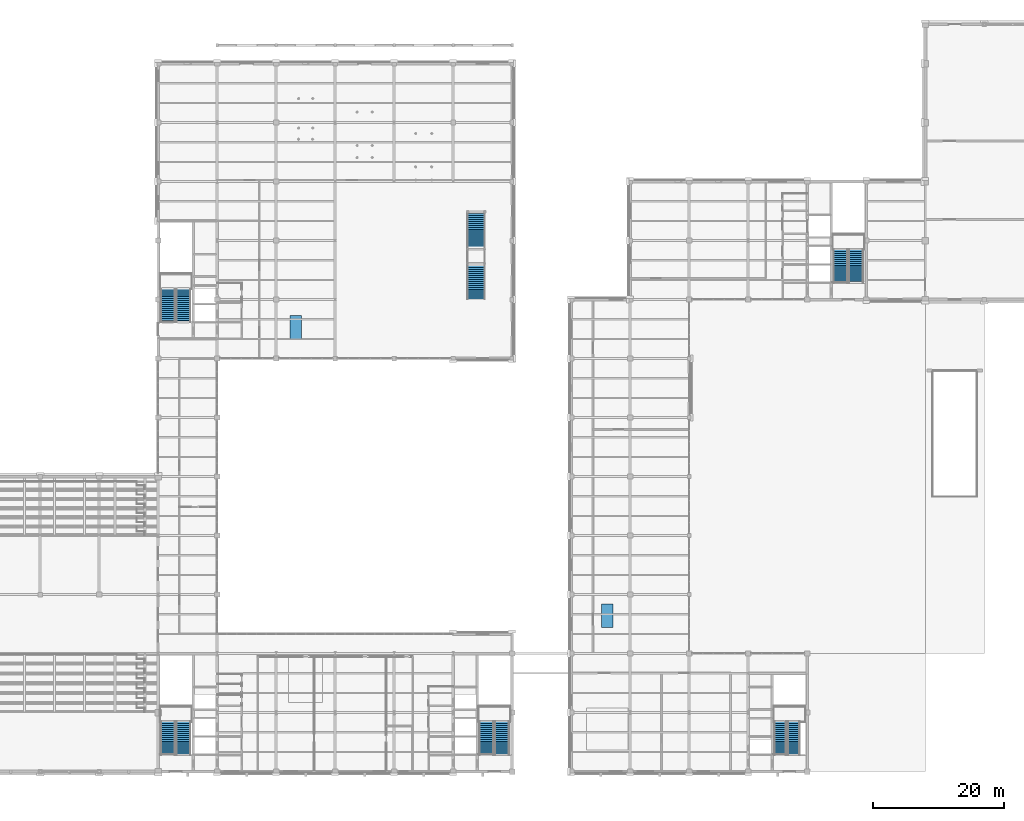
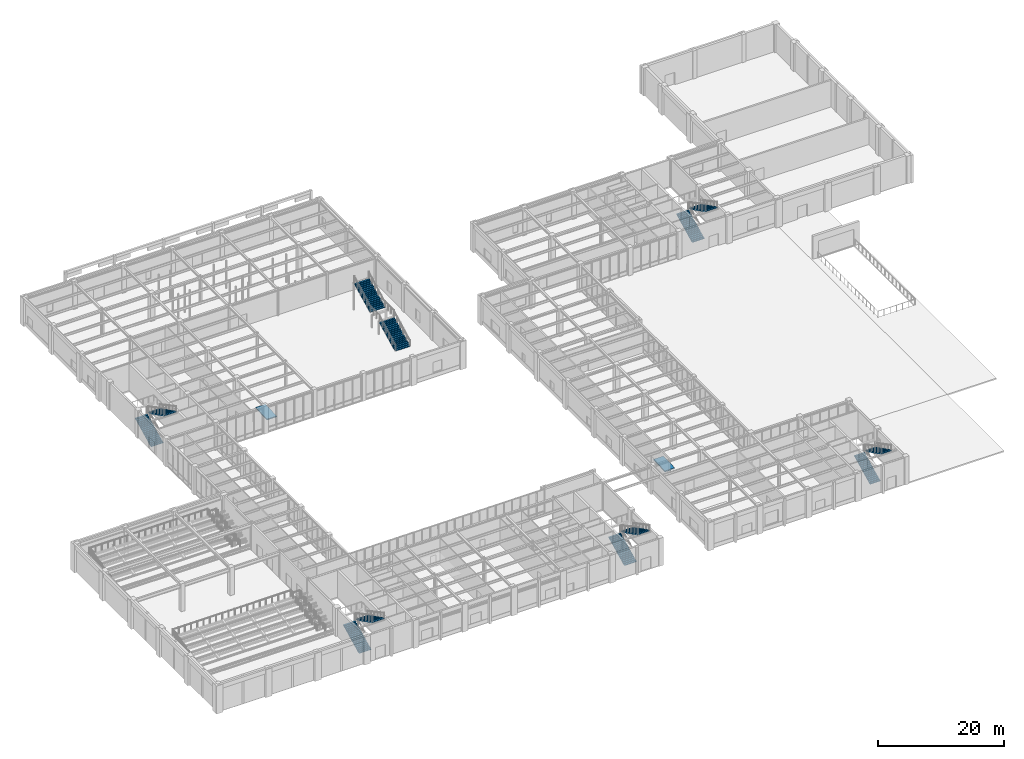
# One storey, part 71 of 77: 12 stair flights, 2 ramp flights, 8 elements without a shape of their own.
"""IFC4 building model written with IfcOpenShell, lengths in metres."""

from ifc_helpers import new_model, si_unit, direction, frame, origin, place, context, subcontext, project, spatial, polyline, outline, extrude, material, layer, layer_set, type_object, element, aggregate, save


model = new_model("IFC4")

# Units and contexts
model_context = context("Model", 3, precision=1e-05, world=origin(), true_north=direction((0.0, 1.0)))
body_context = subcontext(model_context, "Body", "Model", "MODEL_VIEW")
ifc_project = project(units=[si_unit("LENGTHUNIT", "METRE"), si_unit("AREAUNIT", "SQUARE_METRE"), si_unit("VOLUMEUNIT", "CUBIC_METRE"), si_unit("PLANEANGLEUNIT", "RADIAN"), si_unit("MASSUNIT", "GRAM", prefix="KILO")], contexts=[model_context])

# Site, building, storey
site_placement = place(None, origin())
site = spatial("IfcSite", under=ifc_project, at=site_placement, CompositionType="ELEMENT")
building_placement = place(site_placement, origin())
building = spatial("IfcBuilding", under=site, at=building_placement, Name="Lykobir Media Centre", CompositionType="ELEMENT")
storey_placement = place(building_placement, origin())
storey = spatial("IfcBuildingStorey", under=building, at=storey_placement, Name="L00", CompositionType="ELEMENT", Elevation=0.0)

# Stair, stair flights
ifc_material = material(Name="Concrete C30/37", Category="concrete")
stair_type_1 = type_object("IfcStairType", Name="ST-AUX-540", PredefinedType="HALF_TURN_STAIR", material=ifc_material)
stair_1_placement = place(storey_placement, origin())
stair_1 = element("IfcStair", 1, at=stair_1_placement, inside=storey, type_object=stair_type_1, Name="Escape stair ST-5 L00", PredefinedType="HALF_TURN_STAIR")
ifc_layer_1 = layer(ifc_material, 0.169921875, Name="Concrete C30/37")
ifc_layer_set_1 = layer_set([ifc_layer_1], Name="Concrete C30/37")
stair_flight_type_1 = type_object("IfcStairFlightType", Name="FL-185-18", PredefinedType="STRAIGHT", material=ifc_layer_set_1)
stair_flight_1_placement = place(storey_placement, frame((121.89501953125, 2.530029296875, 0.0), z_axis=(0.0, 0.0, 1.0), x_axis=(0.0, 1.0, 0.0)))
stair_flight_1 = element("IfcStairFlight", 2, at=stair_flight_1_placement, type_object=stair_flight_type_1, Name="ST-5-L00 flight 1", NumberOfRisers=18, NumberOfTreads=17, PredefinedType="STRAIGHT", RiserHeight=0.15, TreadLength=0.3, context=body_context, shape_type="SweptSolid", body=[
    extrude(outline(polyline([(0.0, 0.0), (0.0, 0.14990234375), (0.300048828125, 0.14990234375), (0.300048828125, 0.300048828125), (0.60009765625, 0.300048828125), (0.60009765625, 0.449951171875), (0.89990234375, 0.449951171875), (0.89990234375, 0.60009765625), (1.199951171875, 0.60009765625), (1.199951171875, 0.75), (1.5, 0.75), (1.5, 0.89990234375), (1.800048828125, 0.89990234375), (1.800048828125, 1.050048828125), (2.10009765625, 1.050048828125), (2.10009765625, 1.199951171875), (2.39990234375, 1.199951171875), (2.39990234375, 1.35009765625), (2.699951171875, 1.35009765625), (2.699951171875, 1.5), (3.0, 1.5), (3.0, 1.64990234375), (3.300048828125, 1.64990234375), (3.300048828125, 1.800048828125), (3.60009765625, 1.800048828125), (3.60009765625, 1.949951171875), (3.89990234375, 1.949951171875), (3.89990234375, 2.10009765625), (4.199951171875, 2.10009765625), (4.199951171875, 2.25), (4.5, 2.25), (4.5, 2.39990234375), (4.800048828125, 2.39990234375), (4.800048828125, 2.550048828125), (5.10009765625, 2.550048828125), (5.10009765625, 2.699951171875), (5.10009765625, 2.37109375), (0.357666015625, 0.0), (0.0, 0.0)])), frame((0.0, 0.925048828125, 0.0), z_axis=(0.0, -1.0, 0.0), x_axis=(1.0, 0.0, 0.0)), (0.0, 0.0, 1.0), 1.85009765625),
])
stair_flight_2_placement = place(storey_placement, frame((123.945068359375, 7.6298828125, 2.699951171875), z_axis=(0.0, 0.0, 1.0), x_axis=(0.0, -1.0, 0.0)))
stair_flight_2 = element("IfcStairFlight", 3, at=stair_flight_2_placement, type_object=stair_flight_type_1, Name="ST-5-L00 flight 2", NumberOfRisers=18, NumberOfTreads=17, PredefinedType="STRAIGHT", RiserHeight=0.15, TreadLength=0.3, context=body_context, shape_type="SweptSolid", body=[
    extrude(outline(polyline([(0.0, 0.0), (0.0, 0.14990234375), (0.300048828125, 0.14990234375), (0.300048828125, 0.300048828125), (0.60009765625, 0.300048828125), (0.60009765625, 0.449951171875), (0.89990234375, 0.449951171875), (0.89990234375, 0.60009765625), (1.199951171875, 0.60009765625), (1.199951171875, 0.75), (1.5, 0.75), (1.5, 0.89990234375), (1.800048828125, 0.89990234375), (1.800048828125, 1.050048828125), (2.10009765625, 1.050048828125), (2.10009765625, 1.199951171875), (2.39990234375, 1.199951171875), (2.39990234375, 1.35009765625), (2.699951171875, 1.35009765625), (2.699951171875, 1.5), (3.0, 1.5), (3.0, 1.64990234375), (3.300048828125, 1.64990234375), (3.300048828125, 1.800048828125), (3.60009765625, 1.800048828125), (3.60009765625, 1.949951171875), (3.89990234375, 1.949951171875), (3.89990234375, 2.10009765625), (4.199951171875, 2.10009765625), (4.199951171875, 2.25), (4.5, 2.25), (4.5, 2.39990234375), (4.800048828125, 2.39990234375), (4.800048828125, 2.550048828125), (5.10009765625, 2.550048828125), (5.10009765625, 2.699951171875), (5.10009765625, 2.37109375), (0.357666015625, 0.0), (0.0, 0.0)])), frame((0.0, 0.925048828125, 0.0), z_axis=(0.0, -1.0, 0.0), x_axis=(1.0, 0.0, 0.0)), (0.0, 0.0, 1.0), 1.85009765625),
])
aggregate(stair_1, [stair_flight_1, stair_flight_2])

stair_type_2 = type_object("IfcStairType", Name="ST-HT-540", PredefinedType="HALF_TURN_STAIR", material=ifc_material)
stair_2_placement = place(storey_placement, origin())
stair_2 = element("IfcStair", 4, at=stair_2_placement, inside=storey, type_object=stair_type_2, Name="Escape stair ST-1 L00", PredefinedType="HALF_TURN_STAIR")
ifc_layer_2 = layer(ifc_material, 0.169921875, Name="Concrete C30/37")
ifc_layer_set_2 = layer_set([ifc_layer_2], Name="Concrete C30/37")
stair_flight_type_2 = type_object("IfcStairFlightType", Name="FL-220-18", PredefinedType="STRAIGHT", material=ifc_layer_set_2)
stair_flight_3_placement = place(storey_placement, frame((28.469970703125, 2.530029296875, 0.0), z_axis=(0.0, 0.0, 1.0), x_axis=(0.0, 1.0, 0.0)))
stair_flight_3 = element("IfcStairFlight", 5, at=stair_flight_3_placement, type_object=stair_flight_type_2, Name="ST-1-L00 flight 1", NumberOfRisers=18, NumberOfTreads=17, PredefinedType="STRAIGHT", RiserHeight=0.15, TreadLength=0.3, context=body_context, shape_type="SweptSolid", body=[
    extrude(outline(polyline([(0.0, 0.0), (0.0, 0.14990234375), (0.300048828125, 0.14990234375), (0.300048828125, 0.300048828125), (0.60009765625, 0.300048828125), (0.60009765625, 0.449951171875), (0.89990234375, 0.449951171875), (0.89990234375, 0.60009765625), (1.199951171875, 0.60009765625), (1.199951171875, 0.75), (1.5, 0.75), (1.5, 0.89990234375), (1.800048828125, 0.89990234375), (1.800048828125, 1.050048828125), (2.10009765625, 1.050048828125), (2.10009765625, 1.199951171875), (2.39990234375, 1.199951171875), (2.39990234375, 1.35009765625), (2.699951171875, 1.35009765625), (2.699951171875, 1.5), (3.0, 1.5), (3.0, 1.64990234375), (3.300048828125, 1.64990234375), (3.300048828125, 1.800048828125), (3.60009765625, 1.800048828125), (3.60009765625, 1.949951171875), (3.89990234375, 1.949951171875), (3.89990234375, 2.10009765625), (4.199951171875, 2.10009765625), (4.199951171875, 2.25), (4.5, 2.25), (4.5, 2.39990234375), (4.800048828125, 2.39990234375), (4.800048828125, 2.550048828125), (5.10009765625, 2.550048828125), (5.10009765625, 2.699951171875), (5.10009765625, 2.37109375), (0.357666015625, 0.0), (0.0, 0.0)])), frame((0.0, 1.10009765625, 0.0), z_axis=(0.0, -1.0, 0.0), x_axis=(1.0, 0.0, 0.0)), (0.0, 0.0, 1.0), 2.199951171875),
])
stair_flight_4_placement = place(storey_placement, frame((30.8701171875, 7.6298828125, 2.699951171875), z_axis=(0.0, 0.0, 1.0), x_axis=(0.0, -1.0, 0.0)))
stair_flight_4 = element("IfcStairFlight", 6, at=stair_flight_4_placement, type_object=stair_flight_type_2, Name="ST-1-L00 flight 2", NumberOfRisers=18, NumberOfTreads=17, PredefinedType="STRAIGHT", RiserHeight=0.15, TreadLength=0.3, context=body_context, shape_type="SweptSolid", body=[
    extrude(outline(polyline([(0.0, 0.0), (0.0, 0.14990234375), (0.300048828125, 0.14990234375), (0.300048828125, 0.300048828125), (0.60009765625, 0.300048828125), (0.60009765625, 0.449951171875), (0.89990234375, 0.449951171875), (0.89990234375, 0.60009765625), (1.199951171875, 0.60009765625), (1.199951171875, 0.75), (1.5, 0.75), (1.5, 0.89990234375), (1.800048828125, 0.89990234375), (1.800048828125, 1.050048828125), (2.10009765625, 1.050048828125), (2.10009765625, 1.199951171875), (2.39990234375, 1.199951171875), (2.39990234375, 1.35009765625), (2.699951171875, 1.35009765625), (2.699951171875, 1.5), (3.0, 1.5), (3.0, 1.64990234375), (3.300048828125, 1.64990234375), (3.300048828125, 1.800048828125), (3.60009765625, 1.800048828125), (3.60009765625, 1.949951171875), (3.89990234375, 1.949951171875), (3.89990234375, 2.10009765625), (4.199951171875, 2.10009765625), (4.199951171875, 2.25), (4.5, 2.25), (4.5, 2.39990234375), (4.800048828125, 2.39990234375), (4.800048828125, 2.550048828125), (5.10009765625, 2.550048828125), (5.10009765625, 2.699951171875), (5.10009765625, 2.37109375), (0.357666015625, 0.0), (0.0, 0.0)])), frame((0.0, 1.10009765625, 0.0), z_axis=(0.0, -1.0, 0.0), x_axis=(1.0, 0.0, 0.0)), (0.0, 0.0, 1.0), 2.199951171875),
])
aggregate(stair_2, [stair_flight_3, stair_flight_4])

stair_3_placement = place(storey_placement, origin())
stair_3 = element("IfcStair", 7, at=stair_3_placement, inside=storey, type_object=stair_type_2, Name="Escape stair ST-2 L00", PredefinedType="HALF_TURN_STAIR")
stair_flight_5_placement = place(storey_placement, frame((77.070068359375, 2.530029296875, 0.0), z_axis=(0.0, 0.0, 1.0), x_axis=(0.0, 1.0, 0.0)))
stair_flight_5 = element("IfcStairFlight", 8, at=stair_flight_5_placement, type_object=stair_flight_type_2, Name="ST-2-L00 flight 1", NumberOfRisers=18, NumberOfTreads=17, PredefinedType="STRAIGHT", RiserHeight=0.15, TreadLength=0.3, context=body_context, shape_type="SweptSolid", body=[
    extrude(outline(polyline([(0.0, 0.0), (0.0, 0.14990234375), (0.300048828125, 0.14990234375), (0.300048828125, 0.300048828125), (0.60009765625, 0.300048828125), (0.60009765625, 0.449951171875), (0.89990234375, 0.449951171875), (0.89990234375, 0.60009765625), (1.199951171875, 0.60009765625), (1.199951171875, 0.75), (1.5, 0.75), (1.5, 0.89990234375), (1.800048828125, 0.89990234375), (1.800048828125, 1.050048828125), (2.10009765625, 1.050048828125), (2.10009765625, 1.199951171875), (2.39990234375, 1.199951171875), (2.39990234375, 1.35009765625), (2.699951171875, 1.35009765625), (2.699951171875, 1.5), (3.0, 1.5), (3.0, 1.64990234375), (3.300048828125, 1.64990234375), (3.300048828125, 1.800048828125), (3.60009765625, 1.800048828125), (3.60009765625, 1.949951171875), (3.89990234375, 1.949951171875), (3.89990234375, 2.10009765625), (4.199951171875, 2.10009765625), (4.199951171875, 2.25), (4.5, 2.25), (4.5, 2.39990234375), (4.800048828125, 2.39990234375), (4.800048828125, 2.550048828125), (5.10009765625, 2.550048828125), (5.10009765625, 2.699951171875), (5.10009765625, 2.37109375), (0.357666015625, 0.0), (0.0, 0.0)])), frame((0.0, 1.10009765625, 0.0), z_axis=(0.0, -1.0, 0.0), x_axis=(1.0, 0.0, 0.0)), (0.0, 0.0, 1.0), 2.199951171875),
])
stair_flight_6_placement = place(storey_placement, frame((79.469970703125, 7.6298828125, 2.699951171875), z_axis=(0.0, 0.0, 1.0), x_axis=(0.0, -1.0, 0.0)))
stair_flight_6 = element("IfcStairFlight", 9, at=stair_flight_6_placement, type_object=stair_flight_type_2, Name="ST-2-L00 flight 2", NumberOfRisers=18, NumberOfTreads=17, PredefinedType="STRAIGHT", RiserHeight=0.15, TreadLength=0.3, context=body_context, shape_type="SweptSolid", body=[
    extrude(outline(polyline([(0.0, 0.0), (0.0, 0.14990234375), (0.300048828125, 0.14990234375), (0.300048828125, 0.300048828125), (0.60009765625, 0.300048828125), (0.60009765625, 0.449951171875), (0.89990234375, 0.449951171875), (0.89990234375, 0.60009765625), (1.199951171875, 0.60009765625), (1.199951171875, 0.75), (1.5, 0.75), (1.5, 0.89990234375), (1.800048828125, 0.89990234375), (1.800048828125, 1.050048828125), (2.10009765625, 1.050048828125), (2.10009765625, 1.199951171875), (2.39990234375, 1.199951171875), (2.39990234375, 1.35009765625), (2.699951171875, 1.35009765625), (2.699951171875, 1.5), (3.0, 1.5), (3.0, 1.64990234375), (3.300048828125, 1.64990234375), (3.300048828125, 1.800048828125), (3.60009765625, 1.800048828125), (3.60009765625, 1.949951171875), (3.89990234375, 1.949951171875), (3.89990234375, 2.10009765625), (4.199951171875, 2.10009765625), (4.199951171875, 2.25), (4.5, 2.25), (4.5, 2.39990234375), (4.800048828125, 2.39990234375), (4.800048828125, 2.550048828125), (5.10009765625, 2.550048828125), (5.10009765625, 2.699951171875), (5.10009765625, 2.37109375), (0.357666015625, 0.0), (0.0, 0.0)])), frame((0.0, 1.10009765625, 0.0), z_axis=(0.0, -1.0, 0.0), x_axis=(1.0, 0.0, 0.0)), (0.0, 0.0, 1.0), 2.199951171875),
])
aggregate(stair_3, [stair_flight_5, stair_flight_6])

stair_4_placement = place(storey_placement, origin())
stair_4 = element("IfcStair", 10, at=stair_4_placement, inside=storey, type_object=stair_type_2, Name="Escape stair ST-3 L00", PredefinedType="HALF_TURN_STAIR")
stair_flight_7_placement = place(storey_placement, frame((28.469970703125, 68.530029296875, 0.0), z_axis=(0.0, 0.0, 1.0), x_axis=(0.0, 1.0, 0.0)))
stair_flight_7 = element("IfcStairFlight", 11, at=stair_flight_7_placement, type_object=stair_flight_type_2, Name="ST-3-L00 flight 1", NumberOfRisers=18, NumberOfTreads=17, PredefinedType="STRAIGHT", RiserHeight=0.15, TreadLength=0.3, context=body_context, shape_type="SweptSolid", body=[
    extrude(outline(polyline([(0.0, 0.0), (0.0, 0.14990234375), (0.300048828125, 0.14990234375), (0.300048828125, 0.300048828125), (0.60009765625, 0.300048828125), (0.60009765625, 0.449951171875), (0.89990234375, 0.449951171875), (0.89990234375, 0.60009765625), (1.199951171875, 0.60009765625), (1.199951171875, 0.75), (1.5, 0.75), (1.5, 0.89990234375), (1.800048828125, 0.89990234375), (1.800048828125, 1.050048828125), (2.10009765625, 1.050048828125), (2.10009765625, 1.199951171875), (2.39990234375, 1.199951171875), (2.39990234375, 1.35009765625), (2.699951171875, 1.35009765625), (2.699951171875, 1.5), (3.0, 1.5), (3.0, 1.64990234375), (3.300048828125, 1.64990234375), (3.300048828125, 1.800048828125), (3.60009765625, 1.800048828125), (3.60009765625, 1.949951171875), (3.89990234375, 1.949951171875), (3.89990234375, 2.10009765625), (4.199951171875, 2.10009765625), (4.199951171875, 2.25), (4.5, 2.25), (4.5, 2.39990234375), (4.800048828125, 2.39990234375), (4.800048828125, 2.550048828125), (5.10009765625, 2.550048828125), (5.10009765625, 2.699951171875), (5.10009765625, 2.37109375), (0.357666015625, 0.0), (0.0, 0.0)])), frame((0.0, 1.10009765625, 0.0), z_axis=(0.0, -1.0, 0.0), x_axis=(1.0, 0.0, 0.0)), (0.0, 0.0, 1.0), 2.199951171875),
])
stair_flight_8_placement = place(storey_placement, frame((30.8701171875, 73.6298828125, 2.699951171875), z_axis=(0.0, 0.0, 1.0), x_axis=(0.0, -1.0, 0.0)))
stair_flight_8 = element("IfcStairFlight", 12, at=stair_flight_8_placement, type_object=stair_flight_type_2, Name="ST-3-L00 flight 2", NumberOfRisers=18, NumberOfTreads=17, PredefinedType="STRAIGHT", RiserHeight=0.15, TreadLength=0.3, context=body_context, shape_type="SweptSolid", body=[
    extrude(outline(polyline([(0.0, 0.0), (0.0, 0.14990234375), (0.300048828125, 0.14990234375), (0.300048828125, 0.300048828125), (0.60009765625, 0.300048828125), (0.60009765625, 0.449951171875), (0.89990234375, 0.449951171875), (0.89990234375, 0.60009765625), (1.199951171875, 0.60009765625), (1.199951171875, 0.75), (1.5, 0.75), (1.5, 0.89990234375), (1.800048828125, 0.89990234375), (1.800048828125, 1.050048828125), (2.10009765625, 1.050048828125), (2.10009765625, 1.199951171875), (2.39990234375, 1.199951171875), (2.39990234375, 1.35009765625), (2.699951171875, 1.35009765625), (2.699951171875, 1.5), (3.0, 1.5), (3.0, 1.64990234375), (3.300048828125, 1.64990234375), (3.300048828125, 1.800048828125), (3.60009765625, 1.800048828125), (3.60009765625, 1.949951171875), (3.89990234375, 1.949951171875), (3.89990234375, 2.10009765625), (4.199951171875, 2.10009765625), (4.199951171875, 2.25), (4.5, 2.25), (4.5, 2.39990234375), (4.800048828125, 2.39990234375), (4.800048828125, 2.550048828125), (5.10009765625, 2.550048828125), (5.10009765625, 2.699951171875), (5.10009765625, 2.37109375), (0.357666015625, 0.0), (0.0, 0.0)])), frame((0.0, 1.10009765625, 0.0), z_axis=(0.0, -1.0, 0.0), x_axis=(1.0, 0.0, 0.0)), (0.0, 0.0, 1.0), 2.199951171875),
])
aggregate(stair_4, [stair_flight_7, stair_flight_8])

stair_5_placement = place(storey_placement, origin())
stair_5 = element("IfcStair", 13, at=stair_5_placement, inside=storey, type_object=stair_type_2, Name="Escape stair ST-4 L00", PredefinedType="HALF_TURN_STAIR")
stair_flight_9_placement = place(storey_placement, frame((131.070068359375, 74.530029296875, 0.0), z_axis=(0.0, 0.0, 1.0), x_axis=(0.0, 1.0, 0.0)))
stair_flight_9 = element("IfcStairFlight", 14, at=stair_flight_9_placement, type_object=stair_flight_type_2, Name="ST-4-L00 flight 1", NumberOfRisers=18, NumberOfTreads=17, PredefinedType="STRAIGHT", RiserHeight=0.15, TreadLength=0.3, context=body_context, shape_type="SweptSolid", body=[
    extrude(outline(polyline([(0.0, 0.0), (0.0, 0.14990234375), (0.300048828125, 0.14990234375), (0.300048828125, 0.300048828125), (0.60009765625, 0.300048828125), (0.60009765625, 0.449951171875), (0.89990234375, 0.449951171875), (0.89990234375, 0.60009765625), (1.199951171875, 0.60009765625), (1.199951171875, 0.75), (1.5, 0.75), (1.5, 0.89990234375), (1.800048828125, 0.89990234375), (1.800048828125, 1.050048828125), (2.10009765625, 1.050048828125), (2.10009765625, 1.199951171875), (2.39990234375, 1.199951171875), (2.39990234375, 1.35009765625), (2.699951171875, 1.35009765625), (2.699951171875, 1.5), (3.0, 1.5), (3.0, 1.64990234375), (3.300048828125, 1.64990234375), (3.300048828125, 1.800048828125), (3.60009765625, 1.800048828125), (3.60009765625, 1.949951171875), (3.89990234375, 1.949951171875), (3.89990234375, 2.10009765625), (4.199951171875, 2.10009765625), (4.199951171875, 2.25), (4.5, 2.25), (4.5, 2.39990234375), (4.800048828125, 2.39990234375), (4.800048828125, 2.550048828125), (5.10009765625, 2.550048828125), (5.10009765625, 2.699951171875), (5.10009765625, 2.37109375), (0.357666015625, 0.0), (0.0, 0.0)])), frame((0.0, 1.10009765625, 0.0), z_axis=(0.0, -1.0, 0.0), x_axis=(1.0, 0.0, 0.0)), (0.0, 0.0, 1.0), 2.199951171875),
])
stair_flight_10_placement = place(storey_placement, frame((133.469970703125, 79.6298828125, 2.699951171875), z_axis=(0.0, 0.0, 1.0), x_axis=(0.0, -1.0, 0.0)))
stair_flight_10 = element("IfcStairFlight", 15, at=stair_flight_10_placement, type_object=stair_flight_type_2, Name="ST-4-L00 flight 2", NumberOfRisers=18, NumberOfTreads=17, PredefinedType="STRAIGHT", RiserHeight=0.15, TreadLength=0.3, context=body_context, shape_type="SweptSolid", body=[
    extrude(outline(polyline([(0.0, 0.0), (0.0, 0.14990234375), (0.300048828125, 0.14990234375), (0.300048828125, 0.300048828125), (0.60009765625, 0.300048828125), (0.60009765625, 0.449951171875), (0.89990234375, 0.449951171875), (0.89990234375, 0.60009765625), (1.199951171875, 0.60009765625), (1.199951171875, 0.75), (1.5, 0.75), (1.5, 0.89990234375), (1.800048828125, 0.89990234375), (1.800048828125, 1.050048828125), (2.10009765625, 1.050048828125), (2.10009765625, 1.199951171875), (2.39990234375, 1.199951171875), (2.39990234375, 1.35009765625), (2.699951171875, 1.35009765625), (2.699951171875, 1.5), (3.0, 1.5), (3.0, 1.64990234375), (3.300048828125, 1.64990234375), (3.300048828125, 1.800048828125), (3.60009765625, 1.800048828125), (3.60009765625, 1.949951171875), (3.89990234375, 1.949951171875), (3.89990234375, 2.10009765625), (4.199951171875, 2.10009765625), (4.199951171875, 2.25), (4.5, 2.25), (4.5, 2.39990234375), (4.800048828125, 2.39990234375), (4.800048828125, 2.550048828125), (5.10009765625, 2.550048828125), (5.10009765625, 2.699951171875), (5.10009765625, 2.37109375), (0.357666015625, 0.0), (0.0, 0.0)])), frame((0.0, 1.10009765625, 0.0), z_axis=(0.0, -1.0, 0.0), x_axis=(1.0, 0.0, 0.0)), (0.0, 0.0, 1.0), 2.199951171875),
])
aggregate(stair_5, [stair_flight_9, stair_flight_10])

stair_type_3 = type_object("IfcStairType", Name="ST-VAL-1", PredefinedType="STRAIGHT_RUN_STAIR", material=ifc_material)
stair_6_placement = place(storey_placement, origin())
stair_6 = element("IfcStair", 16, at=stair_6_placement, inside=storey, type_object=stair_type_3, Name="Valley terrace feature stair 1", PredefinedType="STRAIGHT_RUN_STAIR")
ifc_layer_3 = layer(ifc_material, 0.18994140625, Name="Concrete C30/37")
ifc_layer_set_3 = layer_set([ifc_layer_3], Name="Concrete C30/37")
stair_flight_type_3 = type_object("IfcStairFlightType", Name="FL-VAL-270", PredefinedType="STRAIGHT", material=ifc_layer_set_3)
stair_flight_11_placement = place(storey_placement, frame((75.5, 72.070068359375, 0.0), z_axis=(0.0, 0.0, 1.0), x_axis=(0.0, 1.0, 0.0)))
stair_flight_11 = element("IfcStairFlight", 17, at=stair_flight_11_placement, type_object=stair_flight_type_3, Name="ST-VAL-1 flight 1", NumberOfRisers=18, NumberOfTreads=17, PredefinedType="STRAIGHT", RiserHeight=0.15, TreadLength=0.3, context=body_context, shape_type="SweptSolid", body=[
    extrude(outline(polyline([(0.0, 0.0), (0.0, 0.14990234375), (0.300048828125, 0.14990234375), (0.300048828125, 0.300048828125), (0.60009765625, 0.300048828125), (0.60009765625, 0.449951171875), (0.89990234375, 0.449951171875), (0.89990234375, 0.60009765625), (1.199951171875, 0.60009765625), (1.199951171875, 0.75), (1.5, 0.75), (1.5, 0.89990234375), (1.800048828125, 0.89990234375), (1.800048828125, 1.050048828125), (2.10009765625, 1.050048828125), (2.10009765625, 1.199951171875), (2.39990234375, 1.199951171875), (2.39990234375, 1.35009765625), (2.699951171875, 1.35009765625), (2.699951171875, 1.5), (3.0, 1.5), (3.0, 1.64990234375), (3.300048828125, 1.64990234375), (3.300048828125, 1.800048828125), (3.60009765625, 1.800048828125), (3.60009765625, 1.949951171875), (3.89990234375, 1.949951171875), (3.89990234375, 2.10009765625), (4.199951171875, 2.10009765625), (4.199951171875, 2.25), (4.5, 2.25), (4.5, 2.39990234375), (4.800048828125, 2.39990234375), (4.800048828125, 2.550048828125), (5.10009765625, 2.550048828125), (5.10009765625, 2.699951171875), (5.10009765625, 2.348876953125), (0.40234375, 0.0), (0.0, 0.0)])), frame((0.0, 1.35009765625, 0.0), z_axis=(0.0, -1.0, 0.0), x_axis=(1.0, 0.0, 0.0)), (0.0, 0.0, 1.0), 2.699951171875),
])
stair_flight_12_placement = place(storey_placement, frame((75.5, 80.02001953125, 2.699951171875), z_axis=(0.0, 0.0, 1.0), x_axis=(0.0, 1.0, 0.0)))
stair_flight_12 = element("IfcStairFlight", 18, at=stair_flight_12_placement, type_object=stair_flight_type_3, Name="ST-VAL-1 flight 2", NumberOfRisers=18, NumberOfTreads=17, PredefinedType="STRAIGHT", RiserHeight=0.15, TreadLength=0.3, context=body_context, shape_type="SweptSolid", body=[
    extrude(outline(polyline([(0.0, 0.0), (0.0, 0.14990234375), (0.300048828125, 0.14990234375), (0.300048828125, 0.300048828125), (0.60009765625, 0.300048828125), (0.60009765625, 0.449951171875), (0.89990234375, 0.449951171875), (0.89990234375, 0.60009765625), (1.199951171875, 0.60009765625), (1.199951171875, 0.75), (1.5, 0.75), (1.5, 0.89990234375), (1.800048828125, 0.89990234375), (1.800048828125, 1.050048828125), (2.10009765625, 1.050048828125), (2.10009765625, 1.199951171875), (2.39990234375, 1.199951171875), (2.39990234375, 1.35009765625), (2.699951171875, 1.35009765625), (2.699951171875, 1.5), (3.0, 1.5), (3.0, 1.64990234375), (3.300048828125, 1.64990234375), (3.300048828125, 1.800048828125), (3.60009765625, 1.800048828125), (3.60009765625, 1.949951171875), (3.89990234375, 1.949951171875), (3.89990234375, 2.10009765625), (4.199951171875, 2.10009765625), (4.199951171875, 2.25), (4.5, 2.25), (4.5, 2.39990234375), (4.800048828125, 2.39990234375), (4.800048828125, 2.550048828125), (5.10009765625, 2.550048828125), (5.10009765625, 2.699951171875), (5.10009765625, 2.348876953125), (0.40234375, 0.0), (0.0, 0.0)])), frame((0.0, 1.35009765625, 0.0), z_axis=(0.0, -1.0, 0.0), x_axis=(1.0, 0.0, 0.0)), (0.0, 0.0, 1.0), 2.699951171875),
])
aggregate(stair_6, [stair_flight_11, stair_flight_12])

# Ramp, ramp flight
ramp_type = type_object("IfcRampType", Name="RMP-ACC", PredefinedType="STRAIGHT_RUN_RAMP", material=ifc_material)
ramp_1_placement = place(storey_placement, origin())
ramp_1 = element("IfcRamp", 19, at=ramp_1_placement, inside=storey, type_object=ramp_type, Name="Accessible concourse ramp 1", PredefinedType="STRAIGHT_RUN_RAMP")
ifc_layer_4 = layer(ifc_material, 0.199951171875, Name="Concrete C30/37")
ifc_layer_set_4 = layer_set([ifc_layer_4], Name="Concrete C30/37")
ramp_flight_type = type_object("IfcRampFlightType", Name="RFL-ACC-200", PredefinedType="STRAIGHT", material=ifc_layer_set_4)
ramp_flight_1_placement = place(storey_placement, frame((48.0, 66.0, 0.0), z_axis=(0.0, 0.0, 1.0), x_axis=(0.0, 1.0, 0.0)))
ramp_flight_1 = element("IfcRampFlight", 20, at=ramp_flight_1_placement, type_object=ramp_flight_type, Name="Accessible concourse ramp flight 1", PredefinedType="STRAIGHT", context=body_context, shape_type="SweptSolid", body=[
    extrude(outline(polyline([(0.0, 0.0), (3.60009765625, 0.1201171875), (3.60009765625, -0.079833984375), (0.0, -0.199951171875), (0.0, 0.0)])), frame((0.0, 0.89990234375, 0.0), z_axis=(0.0, -1.0, 0.0), x_axis=(1.0, 0.0, 0.0)), (0.0, 0.0, 1.0), 1.800048828125),
])
aggregate(ramp_1, [ramp_flight_1])

ramp_2_placement = place(storey_placement, origin())
ramp_2 = element("IfcRamp", 21, at=ramp_2_placement, inside=storey, type_object=ramp_type, Name="Accessible concourse ramp 2", PredefinedType="STRAIGHT_RUN_RAMP")
ramp_flight_2_placement = place(storey_placement, frame((95.5, 22.0, 0.0), z_axis=(0.0, 0.0, 1.0), x_axis=(0.0, 1.0, 0.0)))
ramp_flight_2 = element("IfcRampFlight", 22, at=ramp_flight_2_placement, type_object=ramp_flight_type, Name="Accessible concourse ramp flight 2", PredefinedType="STRAIGHT", context=body_context, shape_type="SweptSolid", body=[
    extrude(outline(polyline([(0.0, 0.0), (3.60009765625, 0.1201171875), (3.60009765625, -0.079833984375), (0.0, -0.199951171875), (0.0, 0.0)])), frame((0.0, 0.89990234375, 0.0), z_axis=(0.0, -1.0, 0.0), x_axis=(1.0, 0.0, 0.0)), (0.0, 0.0, 1.0), 1.800048828125),
])
aggregate(ramp_2, [ramp_flight_2])

save(model, "model.ifc")
